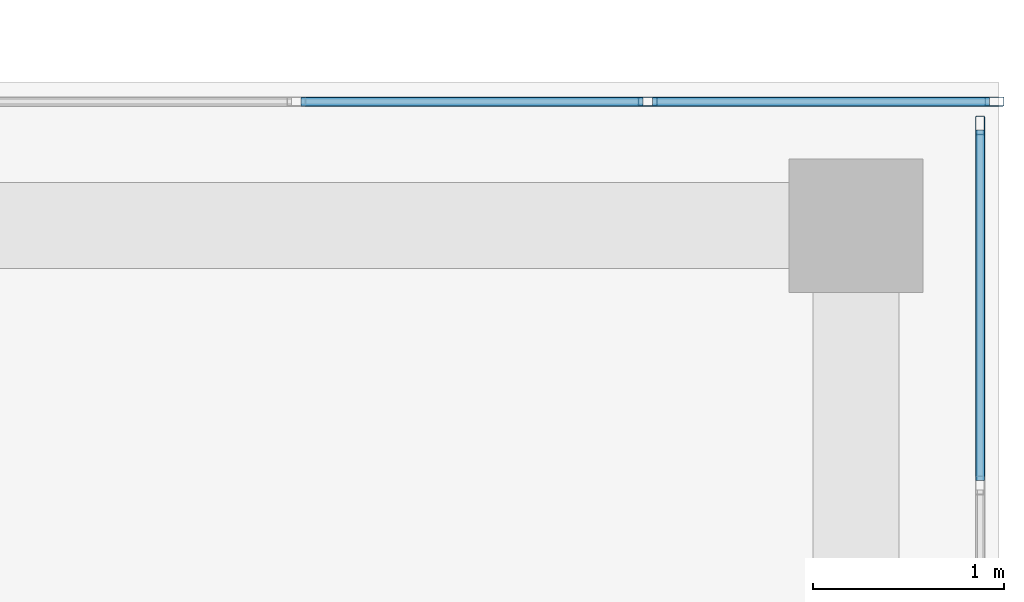
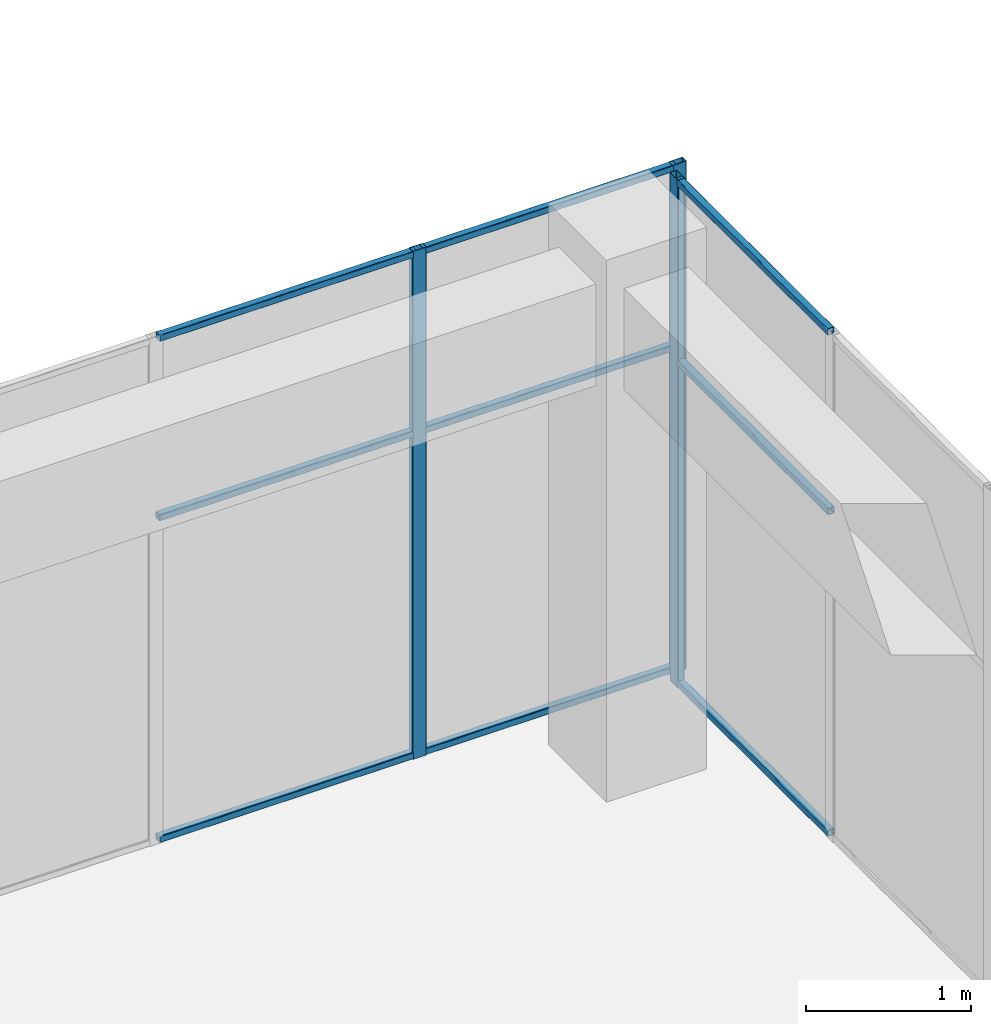
# One storey, part 26 of 43: 12 members, 2 elements without a shape of their own.
"""IFC4 building model written with IfcOpenShell, lengths in metres."""

from ifc_helpers import new_model, si_unit, direction, frame, origin, origin_2d, place, context, subcontext, project, spatial, hollow_rectangle, extrude, material, layer, layer_set, material_profile, profile_set, type_object, element, aggregate, save


model = new_model("IFC4")

# Units and contexts
model_context = context("Model", 3, precision=1e-05, world=origin(), true_north=direction((0.0, 1.0)))
body_context = subcontext(model_context, "Body", "Model", "MODEL_VIEW")
ifc_project = project(units=[si_unit("LENGTHUNIT", "METRE"), si_unit("AREAUNIT", "SQUARE_METRE"), si_unit("VOLUMEUNIT", "CUBIC_METRE"), si_unit("PLANEANGLEUNIT", "RADIAN"), si_unit("MASSUNIT", "GRAM", prefix="KILO")], contexts=[model_context])

# Site, building, storey
site_placement = place(None, origin())
site = spatial("IfcSite", under=ifc_project, at=site_placement, CompositionType="ELEMENT")
building_placement = place(site_placement, origin())
building = spatial("IfcBuilding", under=site, at=building_placement, Name="Tuart Plaza Theatre", CompositionType="ELEMENT")
storey_placement = place(building_placement, frame((0.0, 0.0, 33.5)))
storey = spatial("IfcBuildingStorey", under=building, at=storey_placement, Name="L08", CompositionType="ELEMENT", Elevation=33.5)

# Curtain wall, member
ifc_material_1 = material(Name="Aluminium and glass", Category="aluminium")
ifc_layer = layer(ifc_material_1, 0.10009765625)
ifc_layer_set = layer_set([ifc_layer], Name="CURTAIN WALL 2000 module")
curtain_wall_type = type_object("IfcCurtainWallType", Name="CURTAIN WALL 2000 module", PredefinedType="NOTDEFINED", material=ifc_layer_set)
curtain_wall_1_placement = place(storey_placement, origin())
curtain_wall_1 = element("IfcCurtainWall", 1, at=curtain_wall_1_placement, inside=storey, type_object=curtain_wall_type, Name="CW92", PredefinedType="NOTDEFINED")
ifc_material_2 = material(Name="Aluminium 6063-T5", Category="aluminium")
ifc_material_profile_1 = material_profile(ifc_material_2, hollow_rectangle(XDim=0.050048828125, YDim=0.10009765625, WallThickness=0.00390625, InnerFilletRadius=0.00390625, OuterFilletRadius=0.008056640625, at=origin_2d()), Name="RHS 100x50x4")
ifc_profile_set_1 = profile_set([ifc_material_profile_1], Name="Aluminium 6063-T5")
member_type_1 = type_object("IfcMemberType", Name="MULLION RHS 100x50x4", PredefinedType="MULLION", material=ifc_profile_set_1)
member_1_placement = place(storey_placement, frame((150.64990234375, 83.52490234375, 0.0), z_axis=(0.0, 0.0, 1.0), x_axis=(-1.0, 0.0, 0.0)))
member_1 = element("IfcMember", 2, at=member_1_placement, type_object=member_type_1, Name="CW92 mullion 11", PredefinedType="MULLION", context=body_context, shape_type="SweptSolid", body=[
    extrude(hollow_rectangle(XDim=0.050048828125, YDim=0.10009765625, WallThickness=0.00390625, InnerFilletRadius=0.00390625, OuterFilletRadius=0.008056640625, at=origin_2d()), origin(), (0.0, 0.0, 1.0), 3.75),
])

# Curtain wall, members
curtain_wall_2_placement = place(storey_placement, origin())
curtain_wall_2 = element("IfcCurtainWall", 3, at=curtain_wall_2_placement, inside=storey, type_object=curtain_wall_type, Name="CW93", PredefinedType="NOTDEFINED")
member_2_placement = place(storey_placement, frame((150.72509765625, 83.64990234375, 0.0), z_axis=(0.0, 0.0, 1.0), x_axis=(0.0, -1.0, 0.0)))
member_2 = element("IfcMember", 4, at=member_2_placement, type_object=member_type_1, Name="CW93 mullion 1", PredefinedType="MULLION", context=body_context, shape_type="SweptSolid", body=[
    extrude(hollow_rectangle(XDim=0.050048828125, YDim=0.10009765625, WallThickness=0.00390625, InnerFilletRadius=0.00390625, OuterFilletRadius=0.008056640625, at=origin_2d()), origin(), (0.0, 0.0, 1.0), 3.75),
])
member_3_placement = place(storey_placement, frame((148.909912109375, 83.64990234375, 0.0), z_axis=(0.0, 0.0, 1.0), x_axis=(0.0, -1.0, 0.0)))
member_3 = element("IfcMember", 5, at=member_3_placement, type_object=member_type_1, Name="CW93 mullion 2", PredefinedType="MULLION", context=body_context, shape_type="SweptSolid", body=[
    extrude(hollow_rectangle(XDim=0.050048828125, YDim=0.10009765625, WallThickness=0.00390625, InnerFilletRadius=0.00390625, OuterFilletRadius=0.008056640625, at=origin_2d()), origin(), (0.0, 0.0, 1.0), 3.75),
])

# Member
ifc_material_3 = material(Name="Aluminium 6063-T5", Category="aluminium")
ifc_material_profile_2 = material_profile(ifc_material_3, hollow_rectangle(XDim=0.050048828125, YDim=0.050048828125, WallThickness=0.00390625, InnerFilletRadius=0.00390625, OuterFilletRadius=0.008056640625, at=origin_2d()), Name="RHS 50x50x4")
ifc_profile_set_2 = profile_set([ifc_material_profile_2], Name="Aluminium 6063-T5")
member_type_2 = type_object("IfcMemberType", Name="TRANSOM RHS 50x50x4", PredefinedType="USERDEFINED", material=ifc_profile_set_2)
member_4_placement = place(storey_placement, frame((150.64990234375, 81.6650390625, 0.02490234375), z_axis=(0.0, 1.0, 0.0), x_axis=(-1.0, 0.0, 0.0)))
member_4 = element("IfcMember", 6, at=member_4_placement, type_object=member_type_2, Name="CW92 transom 10.1", ObjectType="TRANSOM", PredefinedType="USERDEFINED", context=body_context, shape_type="SweptSolid", body=[
    extrude(hollow_rectangle(XDim=0.050048828125, YDim=0.050048828125, WallThickness=0.00390625, InnerFilletRadius=0.00390625, OuterFilletRadius=0.008056640625, at=origin_2d()), origin(), (0.0, 0.0, 1.0), 1.8349609375),
])

member_5_placement = place(storey_placement, frame((150.64990234375, 81.6650390625, 2.39990234375), z_axis=(0.0, 1.0, 0.0), x_axis=(-1.0, 0.0, 0.0)))
member_5 = element("IfcMember", 7, at=member_5_placement, type_object=member_type_2, Name="CW92 transom 10.2", ObjectType="TRANSOM", PredefinedType="USERDEFINED", context=body_context, shape_type="SweptSolid", body=[
    extrude(hollow_rectangle(XDim=0.050048828125, YDim=0.050048828125, WallThickness=0.00390625, InnerFilletRadius=0.00390625, OuterFilletRadius=0.008056640625, at=origin_2d()), origin(), (0.0, 0.0, 1.0), 1.8349609375),
])

member_6_placement = place(storey_placement, frame((150.64990234375, 81.6650390625, 3.72509765625), z_axis=(0.0, 1.0, 0.0), x_axis=(-1.0, 0.0, 0.0)))
member_6 = element("IfcMember", 8, at=member_6_placement, type_object=member_type_2, Name="CW92 transom 10.3", ObjectType="TRANSOM", PredefinedType="USERDEFINED", context=body_context, shape_type="SweptSolid", body=[
    extrude(hollow_rectangle(XDim=0.050048828125, YDim=0.050048828125, WallThickness=0.00390625, InnerFilletRadius=0.00390625, OuterFilletRadius=0.008056640625, at=origin_2d()), origin(), (0.0, 0.0, 1.0), 1.8349609375),
])

aggregate(curtain_wall_1, [member_1, member_4, member_5, member_6])

member_7_placement = place(storey_placement, frame((150.699951171875, 83.64990234375, 0.02490234375), z_axis=(-1.0, 0.0, 0.0), x_axis=(0.0, -1.0, 0.0)))
member_7 = element("IfcMember", 9, at=member_7_placement, type_object=member_type_2, Name="CW93 transom 1.1", ObjectType="TRANSOM", PredefinedType="USERDEFINED", context=body_context, shape_type="SweptSolid", body=[
    extrude(hollow_rectangle(XDim=0.050048828125, YDim=0.050048828125, WallThickness=0.00390625, InnerFilletRadius=0.00390625, OuterFilletRadius=0.008056640625, at=origin_2d()), origin(), (0.0, 0.0, 1.0), 1.764892578125),
])

member_8_placement = place(storey_placement, frame((150.699951171875, 83.64990234375, 2.39990234375), z_axis=(-1.0, 0.0, 0.0), x_axis=(0.0, -1.0, 0.0)))
member_8 = element("IfcMember", 10, at=member_8_placement, type_object=member_type_2, Name="CW93 transom 1.2", ObjectType="TRANSOM", PredefinedType="USERDEFINED", context=body_context, shape_type="SweptSolid", body=[
    extrude(hollow_rectangle(XDim=0.050048828125, YDim=0.050048828125, WallThickness=0.00390625, InnerFilletRadius=0.00390625, OuterFilletRadius=0.008056640625, at=origin_2d()), origin(), (0.0, 0.0, 1.0), 1.764892578125),
])

member_9_placement = place(storey_placement, frame((150.699951171875, 83.64990234375, 3.72509765625), z_axis=(-1.0, 0.0, 0.0), x_axis=(0.0, -1.0, 0.0)))
member_9 = element("IfcMember", 11, at=member_9_placement, type_object=member_type_2, Name="CW93 transom 1.3", ObjectType="TRANSOM", PredefinedType="USERDEFINED", context=body_context, shape_type="SweptSolid", body=[
    extrude(hollow_rectangle(XDim=0.050048828125, YDim=0.050048828125, WallThickness=0.00390625, InnerFilletRadius=0.00390625, OuterFilletRadius=0.008056640625, at=origin_2d()), origin(), (0.0, 0.0, 1.0), 1.764892578125),
])

member_10_placement = place(storey_placement, frame((148.885009765625, 83.64990234375, 0.02490234375), z_axis=(-1.0, 0.0, 0.0), x_axis=(0.0, -1.0, 0.0)))
member_10 = element("IfcMember", 12, at=member_10_placement, type_object=member_type_2, Name="CW93 transom 2.1", ObjectType="TRANSOM", PredefinedType="USERDEFINED", context=body_context, shape_type="SweptSolid", body=[
    extrude(hollow_rectangle(XDim=0.050048828125, YDim=0.050048828125, WallThickness=0.00390625, InnerFilletRadius=0.00390625, OuterFilletRadius=0.008056640625, at=origin_2d()), origin(), (0.0, 0.0, 1.0), 1.7900390625),
])

member_11_placement = place(storey_placement, frame((148.885009765625, 83.64990234375, 2.39990234375), z_axis=(-1.0, 0.0, 0.0), x_axis=(0.0, -1.0, 0.0)))
member_11 = element("IfcMember", 13, at=member_11_placement, type_object=member_type_2, Name="CW93 transom 2.2", ObjectType="TRANSOM", PredefinedType="USERDEFINED", context=body_context, shape_type="SweptSolid", body=[
    extrude(hollow_rectangle(XDim=0.050048828125, YDim=0.050048828125, WallThickness=0.00390625, InnerFilletRadius=0.00390625, OuterFilletRadius=0.008056640625, at=origin_2d()), origin(), (0.0, 0.0, 1.0), 1.7900390625),
])

member_12_placement = place(storey_placement, frame((148.885009765625, 83.64990234375, 3.72509765625), z_axis=(-1.0, 0.0, 0.0), x_axis=(0.0, -1.0, 0.0)))
member_12 = element("IfcMember", 14, at=member_12_placement, type_object=member_type_2, Name="CW93 transom 2.3", ObjectType="TRANSOM", PredefinedType="USERDEFINED", context=body_context, shape_type="SweptSolid", body=[
    extrude(hollow_rectangle(XDim=0.050048828125, YDim=0.050048828125, WallThickness=0.00390625, InnerFilletRadius=0.00390625, OuterFilletRadius=0.008056640625, at=origin_2d()), origin(), (0.0, 0.0, 1.0), 1.7900390625),
])

aggregate(curtain_wall_2, [member_2, member_3, member_7, member_8, member_9, member_10, member_11, member_12])

save(model, "model.ifc")
